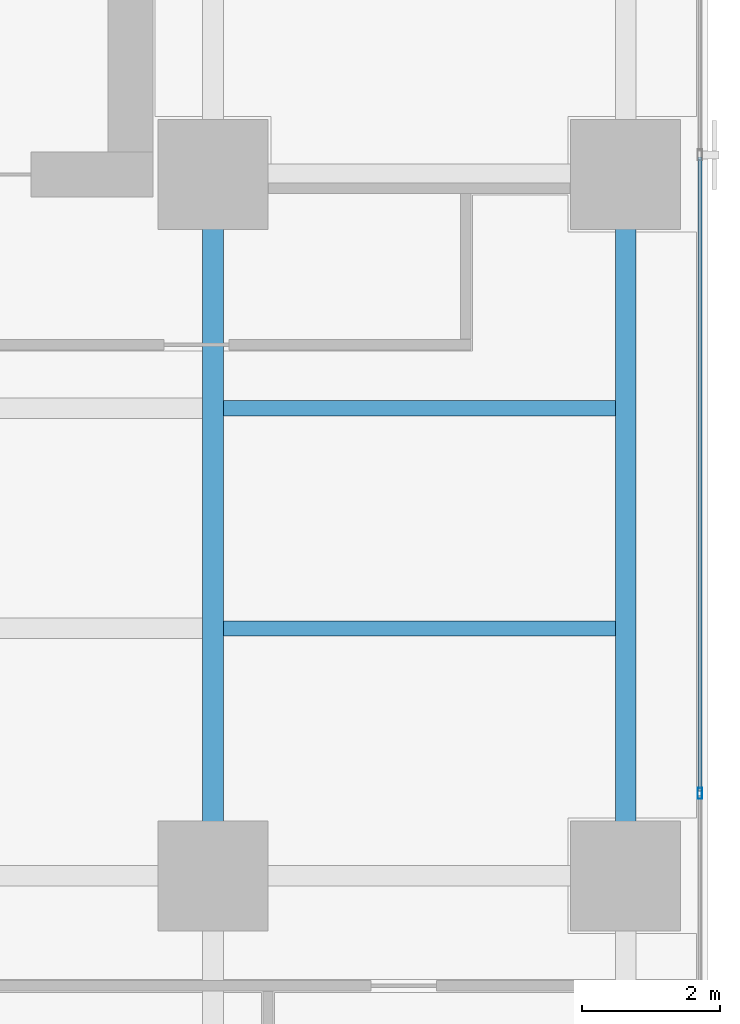
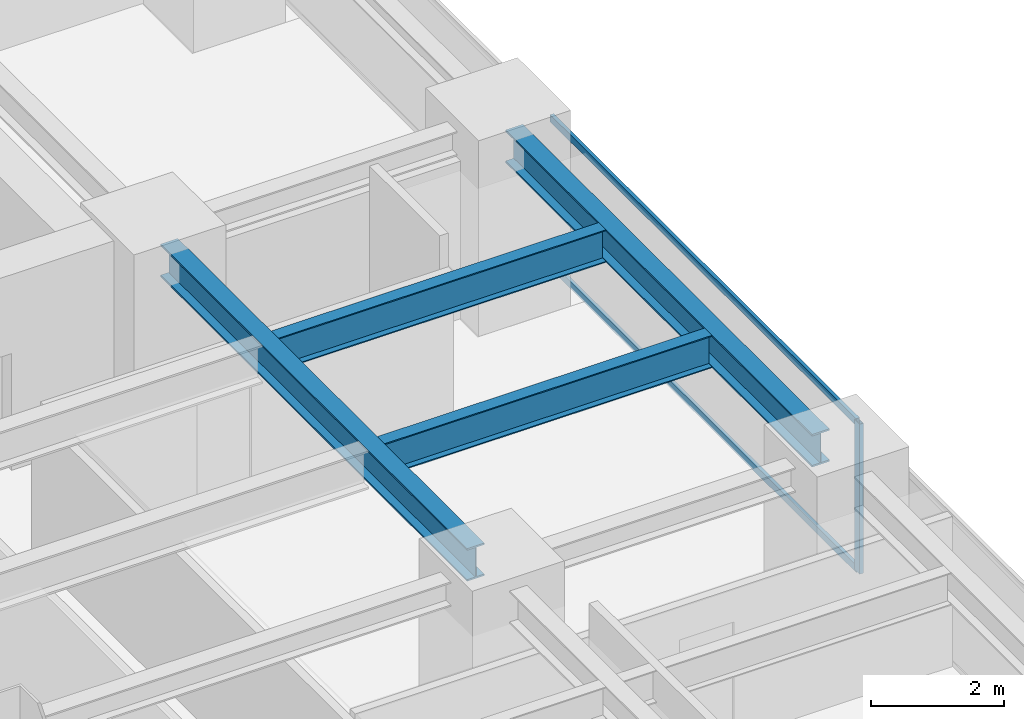
# One storey, part 13 of 28: 4 beams, 3 members, 1 element without a shape of its own.
"""IFC4 building model written with IfcOpenShell, lengths in metres."""

from ifc_helpers import new_model, si_unit, direction, frame, origin, origin_2d, place, context, subcontext, project, spatial, hollow_rectangle, i_section, extrude, source, transform, mapped, material, layer, layer_set, material_profile, profile_set, type_object, element, aggregate, save


model = new_model("IFC4")

# Units and contexts
model_context = context("Model", 3, precision=1e-05, world=origin(), true_north=direction((0.0, 1.0)))
body_context = subcontext(model_context, "Body", "Model", "MODEL_VIEW")
ifc_project = project(units=[si_unit("LENGTHUNIT", "METRE"), si_unit("AREAUNIT", "SQUARE_METRE"), si_unit("VOLUMEUNIT", "CUBIC_METRE"), si_unit("PLANEANGLEUNIT", "RADIAN"), si_unit("MASSUNIT", "GRAM", prefix="KILO")], contexts=[model_context])

# Site, building, storey
site_placement = place(None, origin())
site = spatial("IfcSite", under=ifc_project, at=site_placement, CompositionType="ELEMENT")
building_placement = place(site_placement, origin())
building = spatial("IfcBuilding", under=site, at=building_placement, Name="Sumidabori Civic Tower", CompositionType="ELEMENT")
storey_placement = place(building_placement, frame((0.0, 0.0, 153.199951171875)))
storey = spatial("IfcBuildingStorey", under=building, at=storey_placement, Name="L39", CompositionType="ELEMENT", Elevation=153.199951171875)

# Beams
ifc_material_1 = material(Name="Steel SN490", Category="steel")
ifc_material_profile_1 = material_profile(ifc_material_1, i_section(OverallWidth=0.300048828125, OverallDepth=0.60009765625, WebThickness=0.015380859375, FlangeThickness=0.030029296875, at=origin_2d()), Name="HE 600 B")
ifc_profile_set_1 = profile_set([ifc_material_profile_1], Name="Steel SN490")
beam_type_1 = type_object("IfcBeamType", Name="BM-GIRD-600", PredefinedType="BEAM", material=ifc_profile_set_1)
shared_shape_1 = source(origin(), body_context, "Body", "SweptSolid", [
    extrude(i_section(OverallWidth=0.300048828125, OverallDepth=0.60009765625, WebThickness=0.015380859375, FlangeThickness=0.030029296875, at=origin_2d()), origin(), (0.0, 0.0, 1.0), 9.239990234375),
])
for number, where, z_axis, x_axis, name in (
    (1, (16.800048828125, 0.47998046875, 3.080078125), (0.0, 1.0, 0.0), (-1.0, 0.0, 0.0), "Primary Girder L39 GY-34"),
    (2, (22.800048828125, 0.47998046875, 3.080078125), (0.0, 1.0, 0.0), (-1.0, 0.0, 0.0), "Primary Girder L39 GY-37"),
):
    element("IfcBeam", number, at=place(storey_placement, frame(where, z_axis=z_axis, x_axis=x_axis)), inside=storey, type_object=beam_type_1, Name=name, PredefinedType="BEAM", context=body_context, shape_type="MappedRepresentation", body=[
        mapped(shared_shape_1, transform((0.0, 0.0, 0.0), x_axis=(1.0, 0.0, 0.0), y_axis=(0.0, 1.0, 0.0), z_axis=(0.0, 0.0, 1.0), scale=1.0)),
    ])
ifc_material_profile_2 = material_profile(ifc_material_1, i_section(OverallWidth=0.219970703125, OverallDepth=0.60009765625, WebThickness=0.011962890625, FlangeThickness=0.01904296875, at=origin_2d()), Name="IPE 600")
ifc_profile_set_2 = profile_set([ifc_material_profile_2], Name="Steel SN490")
beam_type_2 = type_object("IfcBeamType", Name="BM-JST-600", PredefinedType="JOIST", material=ifc_profile_set_2)
shared_shape_2 = source(origin(), body_context, "Body", "SweptSolid", [
    extrude(i_section(OverallWidth=0.219970703125, OverallDepth=0.60009765625, WebThickness=0.011962890625, FlangeThickness=0.01904296875, at=origin_2d()), origin(), (0.0, 0.0, 1.0), 5.699951171875),
])
for number, where, z_axis, x_axis, name in (
    (3, (16.949951171875, 3.60009765625, 3.080078125), (1.0, 0.0, 0.0), (0.0, 1.0, 0.0), "Outer Bay Floor Joist L39 JSTO-44"),
    (4, (16.949951171875, 6.800048828125, 3.080078125), (1.0, 0.0, 0.0), (0.0, 1.0, 0.0), "Outer Bay Floor Joist L39 JSTO-46"),
):
    element("IfcBeam", number, at=place(storey_placement, frame(where, z_axis=z_axis, x_axis=x_axis)), inside=storey, type_object=beam_type_2, Name=name, PredefinedType="JOIST", context=body_context, shape_type="MappedRepresentation", body=[
        mapped(shared_shape_2, transform((0.0, 0.0, 0.0), x_axis=(1.0, 0.0, 0.0), y_axis=(0.0, 1.0, 0.0), z_axis=(0.0, 0.0, 1.0), scale=1.0)),
    ])

# Curtain wall, members
ifc_material_2 = material(Name="Anodised Bronze Aluminium AW-6063-T6", Category="aluminium")
ifc_layer = layer(ifc_material_2, 0.179931640625, Name="Anodised Bronze Aluminium AW-6063-T6")
ifc_layer_set = layer_set([ifc_layer], Name="Anodised Bronze Aluminium AW-6063-T6")
curtain_wall_type = type_object("IfcCurtainWallType", Name="CW-SYS-3", PredefinedType="NOTDEFINED", material=ifc_layer_set)
curtain_wall_placement = place(storey_placement, origin())
curtain_wall = element("IfcCurtainWall", 5, at=curtain_wall_placement, inside=storey, type_object=curtain_wall_type, Name="Curtain Wall CW:L39:R04", PredefinedType="NOTDEFINED")
ifc_material_profile_3 = material_profile(ifc_material_2, hollow_rectangle(XDim=0.06494140625, YDim=0.159912109375, WallThickness=0.0048828125, at=origin_2d()), Name="ALU MULLION 160x65")
ifc_profile_set_3 = profile_set([ifc_material_profile_3], Name="Anodised Bronze Aluminium AW-6063-T6")
member_type_1 = type_object("IfcMemberType", Name="CW-MUL-160", PredefinedType="MULLION", material=ifc_profile_set_3)
shared_shape_3 = source(origin(), body_context, "Body", "SweptSolid", [
    extrude(hollow_rectangle(XDim=0.06494140625, YDim=0.159912109375, WallThickness=0.0048828125, at=origin_2d()), origin(), (0.0, 0.0, 1.0), 2.760009765625),
])
member_1_placement = place(storey_placement, frame((23.8798828125, 1.199951171875, 0.0), z_axis=(0.0, 0.0, 1.0), x_axis=(-1.0, 0.0, 0.0)))
member_1 = element("IfcMember", 6, at=member_1_placement, type_object=member_type_1, Name="CW-3 mullion 3", PredefinedType="MULLION", context=body_context, shape_type="MappedRepresentation", body=[
    mapped(shared_shape_3, transform((0.0, 0.0, 0.0), x_axis=(1.0, 0.0, 0.0), y_axis=(0.0, 1.0, 0.0), z_axis=(0.0, 0.0, 1.0), scale=1.0)),
])
ifc_material_profile_4 = material_profile(ifc_material_2, hollow_rectangle(XDim=0.06005859375, YDim=0.1298828125, WallThickness=0.0048828125, at=origin_2d()), Name="ALU TRANSOM 130x60")
ifc_profile_set_4 = profile_set([ifc_material_profile_4], Name="Anodised Bronze Aluminium AW-6063-T6")
member_type_2 = type_object("IfcMemberType", Name="CW-TRN-130", PredefinedType="USERDEFINED", material=ifc_profile_set_4)
shared_shape_4 = source(origin(), body_context, "Body", "SweptSolid", [
    extrude(hollow_rectangle(XDim=0.06005859375, YDim=0.1298828125, WallThickness=0.0048828125, at=origin_2d()), origin(), (0.0, 0.0, 1.0), 9.219970703125),
])
member_2_placement = place(storey_placement, frame((23.8798828125, 1.232421875, 0.030029296875), z_axis=(0.0, 1.0, 0.0), x_axis=(-1.0, 0.0, 0.0)))
member_2 = element("IfcMember", 7, at=member_2_placement, type_object=member_type_2, Name="CW-3 transom 3.1", ObjectType="TRANSOM", PredefinedType="USERDEFINED", context=body_context, shape_type="MappedRepresentation", body=[
    mapped(shared_shape_4, transform((0.0, 0.0, 0.0), x_axis=(1.0, 0.0, 0.0), y_axis=(0.0, 1.0, 0.0), z_axis=(0.0, 0.0, 1.0), scale=1.0)),
])
member_3_placement = place(storey_placement, frame((23.8798828125, 1.232421875, 2.72998046875), z_axis=(0.0, 1.0, 0.0), x_axis=(-1.0, 0.0, 0.0)))
member_3 = element("IfcMember", 8, at=member_3_placement, type_object=member_type_2, Name="CW-3 transom 3.2", ObjectType="TRANSOM", PredefinedType="USERDEFINED", context=body_context, shape_type="MappedRepresentation", body=[
    mapped(shared_shape_4, transform((0.0, 0.0, 0.0), x_axis=(1.0, 0.0, 0.0), y_axis=(0.0, 1.0, 0.0), z_axis=(0.0, 0.0, 1.0), scale=1.0)),
])
aggregate(curtain_wall, [member_1, member_2, member_3])

save(model, "model.ifc")
